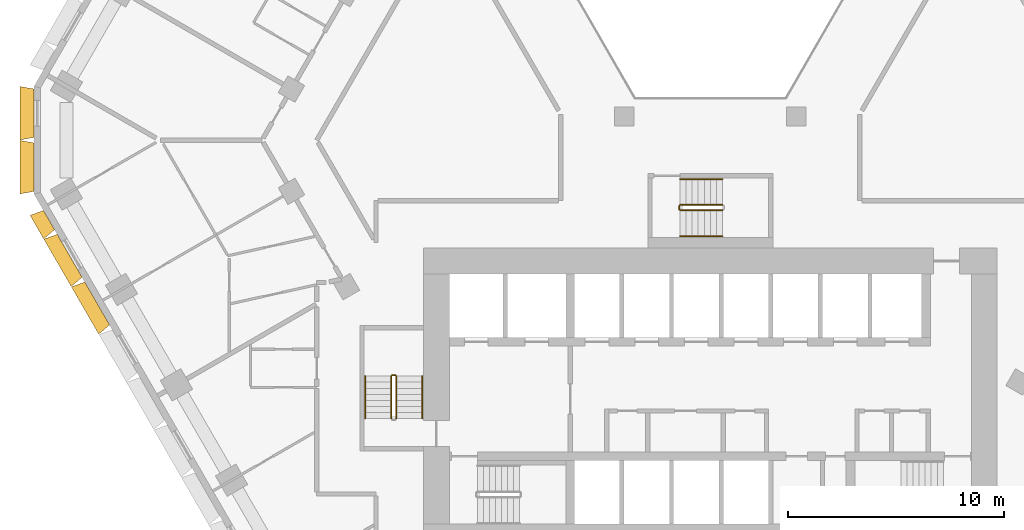
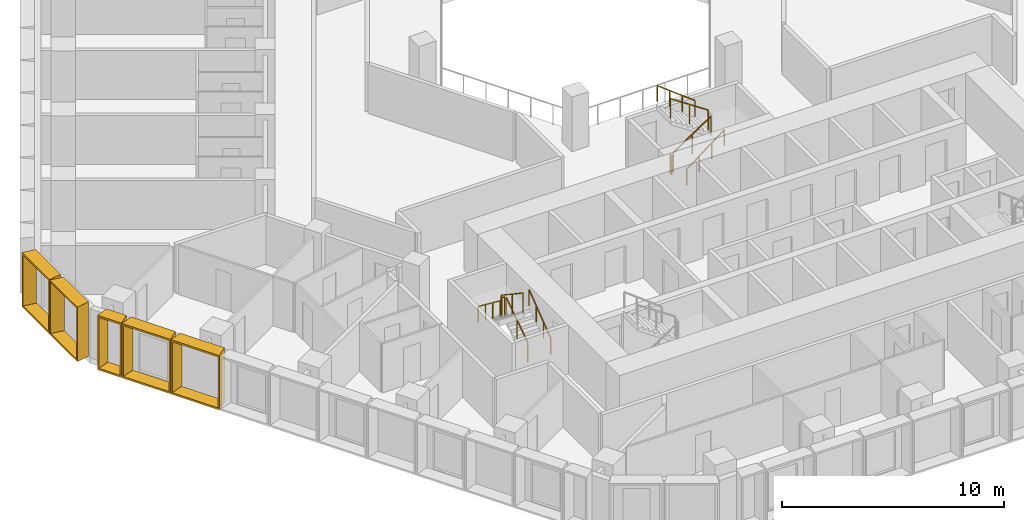
# One storey, part 14 of 16: 10 railings, 5 shading devices.
"""IFC4 building model written with IfcOpenShell, lengths in metres."""

from ifc_helpers import new_model, entity, si_unit, direction, frame, origin, origin_2d, place, context, subcontext, project, spatial, rectangle, extrude, source, transform, mapped, material, type_object, type_shapes, element, save


model = new_model("IFC4")

# Units and contexts
model_context = context("Model", 3, precision=1e-05, world=origin(), true_north=direction((0.0, 1.0)))
body_context = subcontext(model_context, "Body", "Model", "MODEL_VIEW")
ifc_project = project(units=[si_unit("LENGTHUNIT", "METRE"), si_unit("AREAUNIT", "SQUARE_METRE"), si_unit("VOLUMEUNIT", "CUBIC_METRE"), si_unit("PLANEANGLEUNIT", "RADIAN"), si_unit("MASSUNIT", "GRAM", prefix="KILO")], contexts=[model_context])

# Site, building, storey
site_placement = place(None, origin())
site = spatial("IfcSite", under=ifc_project, at=site_placement, CompositionType="ELEMENT")
building_placement = place(site_placement, origin())
building = spatial("IfcBuilding", under=site, at=building_placement, Name="Beryl Residences", CompositionType="ELEMENT")
storey_placement = place(building_placement, frame((0.0, 0.0, 32.39990234375)))
storey = spatial("IfcBuildingStorey", under=building, at=storey_placement, Name="L09", CompositionType="ELEMENT", Elevation=32.39990234375)

# Shading devices
ifc_material_1 = material(Name="Aluminium pale anodised", Category="aluminium")
shading_device_type_1 = type_object("IfcShadingDeviceType", Name="FR128-65A OUTER SKIN frame 650 mm deep, splay 10/10 deg, 1280 x 3000 mm cell", PredefinedType="USERDEFINED", material=ifc_material_1)
cartesian_point_1 = entity("IfcCartesianPoint", [-0.514892578125, 0.0])
cartesian_point_2 = entity("IfcCartesianPoint", [-0.433837890625, 0.10009765625])
cartesian_point_3 = entity("IfcCartesianPoint", [-0.629638671875, 0.0])
cartesian_point_4 = entity("IfcCartesianPoint", [-0.54833984375, 0.10009765625])
shared_shape_1 = source(origin(), body_context, "Body", "SweptSolid", [
    entity("IfcExtrudedAreaSolidTapered", entity("IfcArbitraryProfileDefWithVoids", "AREA", None, entity("IfcPolyline", [cartesian_point_1, entity("IfcCartesianPoint", [0.514892578125, 0.0]), entity("IfcCartesianPoint", [0.514892578125, 3.0]), entity("IfcCartesianPoint", [-0.514892578125, 3.0]), cartesian_point_1]), [entity("IfcPolyline", [cartesian_point_2, entity("IfcCartesianPoint", [0.433837890625, 0.10009765625]), entity("IfcCartesianPoint", [0.433837890625, 2.89990234375]), entity("IfcCartesianPoint", [-0.433837890625, 2.89990234375]), cartesian_point_2])]), entity("IfcAxis2Placement3D", entity("IfcCartesianPoint", [0.0, 0.0, 0.0]), entity("IfcDirection", [0.0, 1.0, 0.0]), entity("IfcDirection", [-1.0, 0.0, 0.0])), entity("IfcDirection", [0.0, 0.0, 1.0]), 0.64990234375, entity("IfcArbitraryProfileDefWithVoids", "AREA", None, entity("IfcPolyline", [cartesian_point_3, entity("IfcCartesianPoint", [0.629638671875, 0.0]), entity("IfcCartesianPoint", [0.629638671875, 3.0]), entity("IfcCartesianPoint", [-0.629638671875, 3.0]), cartesian_point_3]), [entity("IfcPolyline", [cartesian_point_4, entity("IfcCartesianPoint", [0.54833984375, 0.10009765625]), entity("IfcCartesianPoint", [0.54833984375, 2.89990234375]), entity("IfcCartesianPoint", [-0.54833984375, 2.89990234375]), cartesian_point_4])])),
])
type_shapes(shading_device_type_1, [shared_shape_1])
shading_device_placement = place(storey_placement, frame((-30.655029296875, -3.702880859375, 0.0), z_axis=(0.0, 0.0, 1.0), x_axis=(-0.5, 0.866025403784, 0.0)))
element("IfcShadingDevice", 1, at=shading_device_placement, inside=storey, type_object=shading_device_type_1, Name="FR128-65A frame L09 SW 1", ObjectType="OUTER SKIN", PredefinedType="USERDEFINED", context=body_context, shape_type="MappedRepresentation", body=[
    mapped(shared_shape_1, transform((0.0, 0.0, 0.0))),
])
ifc_material_2 = material(Name="Aluminium pale anodised", Category="aluminium")
shading_device_type_2 = type_object("IfcShadingDeviceType", Name="FR250-65A OUTER SKIN frame 650 mm deep, splay 10/10 deg, 2500 x 3000 mm cell", PredefinedType="USERDEFINED", material=ifc_material_2)
cartesian_point_5 = entity("IfcCartesianPoint", [-1.125, 0.0])
cartesian_point_6 = entity("IfcCartesianPoint", [-1.043701171875, 0.10009765625])
cartesian_point_7 = entity("IfcCartesianPoint", [-1.239501953125, 0.0])
cartesian_point_8 = entity("IfcCartesianPoint", [-1.158447265625, 0.10009765625])
shared_shape_2 = source(origin(), body_context, "Body", "SweptSolid", [
    entity("IfcExtrudedAreaSolidTapered", entity("IfcArbitraryProfileDefWithVoids", "AREA", None, entity("IfcPolyline", [cartesian_point_5, entity("IfcCartesianPoint", [1.125, 0.0]), entity("IfcCartesianPoint", [1.125, 3.0]), entity("IfcCartesianPoint", [-1.125, 3.0]), cartesian_point_5]), [entity("IfcPolyline", [cartesian_point_6, entity("IfcCartesianPoint", [1.043701171875, 0.10009765625]), entity("IfcCartesianPoint", [1.043701171875, 2.89990234375]), entity("IfcCartesianPoint", [-1.043701171875, 2.89990234375]), cartesian_point_6])]), entity("IfcAxis2Placement3D", entity("IfcCartesianPoint", [0.0, 0.0, 0.0]), entity("IfcDirection", [0.0, 1.0, 0.0]), entity("IfcDirection", [-1.0, 0.0, 0.0])), entity("IfcDirection", [0.0, 0.0, 1.0]), 0.64990234375, entity("IfcArbitraryProfileDefWithVoids", "AREA", None, entity("IfcPolyline", [cartesian_point_7, entity("IfcCartesianPoint", [1.239501953125, 0.0]), entity("IfcCartesianPoint", [1.239501953125, 3.0]), entity("IfcCartesianPoint", [-1.239501953125, 3.0]), cartesian_point_7]), [entity("IfcPolyline", [cartesian_point_8, entity("IfcCartesianPoint", [1.158447265625, 0.10009765625]), entity("IfcCartesianPoint", [1.158447265625, 2.89990234375]), entity("IfcCartesianPoint", [-1.158447265625, 2.89990234375]), cartesian_point_8])])),
])
type_shapes(shading_device_type_2, [shared_shape_2])
for number, where, z_axis, x_axis, name in (
    (2, (-31.35009765625, 1.25, 0.0), (0.0, 0.0, 1.0), (0.0, 1.0, 0.0), "FR250-65A frame L09 NW-SW 1"),
    (3, (-31.35009765625, -1.25, 0.0), (0.0, 0.0, 1.0), (0.0, 1.0, 0.0), "FR250-65A frame L09 NW-SW 2"),
):
    element("IfcShadingDevice", number, at=place(storey_placement, frame(where, z_axis=z_axis, x_axis=x_axis)), inside=storey, type_object=shading_device_type_2, Name=name, ObjectType="OUTER SKIN", PredefinedType="USERDEFINED", context=body_context, shape_type="MappedRepresentation", body=[
        mapped(shared_shape_2, transform((0.0, 0.0, 0.0))),
    ])
ifc_material_3 = material(Name="Aluminium pale anodised", Category="aluminium")
shading_device_type_3 = type_object("IfcShadingDeviceType", Name="FR255-65A OUTER SKIN frame 650 mm deep, splay 10/10 deg, 2550 x 3000 mm cell", PredefinedType="USERDEFINED", material=ifc_material_3)
cartesian_point_9 = entity("IfcCartesianPoint", [-1.14990234375, 0.0])
cartesian_point_10 = entity("IfcCartesianPoint", [-1.06884765625, 0.10009765625])
cartesian_point_11 = entity("IfcCartesianPoint", [-1.2646484375, 0.0])
cartesian_point_12 = entity("IfcCartesianPoint", [-1.183349609375, 0.10009765625])
shared_shape_3 = source(origin(), body_context, "Body", "SweptSolid", [
    entity("IfcExtrudedAreaSolidTapered", entity("IfcArbitraryProfileDefWithVoids", "AREA", None, entity("IfcPolyline", [cartesian_point_9, entity("IfcCartesianPoint", [1.14990234375, 0.0]), entity("IfcCartesianPoint", [1.14990234375, 3.0]), entity("IfcCartesianPoint", [-1.14990234375, 3.0]), cartesian_point_9]), [entity("IfcPolyline", [cartesian_point_10, entity("IfcCartesianPoint", [1.06884765625, 0.10009765625]), entity("IfcCartesianPoint", [1.06884765625, 2.89990234375]), entity("IfcCartesianPoint", [-1.06884765625, 2.89990234375]), cartesian_point_10])]), entity("IfcAxis2Placement3D", entity("IfcCartesianPoint", [0.0, 0.0, 0.0]), entity("IfcDirection", [0.0, 1.0, 0.0]), entity("IfcDirection", [-1.0, 0.0, 0.0])), entity("IfcDirection", [0.0, 0.0, 1.0]), 0.64990234375, entity("IfcArbitraryProfileDefWithVoids", "AREA", None, entity("IfcPolyline", [cartesian_point_11, entity("IfcCartesianPoint", [1.2646484375, 0.0]), entity("IfcCartesianPoint", [1.2646484375, 3.0]), entity("IfcCartesianPoint", [-1.2646484375, 3.0]), cartesian_point_11]), [entity("IfcPolyline", [cartesian_point_12, entity("IfcCartesianPoint", [1.183349609375, 0.10009765625]), entity("IfcCartesianPoint", [1.183349609375, 2.89990234375]), entity("IfcCartesianPoint", [-1.183349609375, 2.89990234375]), cartesian_point_12])])),
])
type_shapes(shading_device_type_3, [shared_shape_3])
for number, where, z_axis, x_axis, name in (
    (4, (-29.697998046875, -5.360107421875, 0.0), (0.0, 0.0, 1.0), (-0.5, 0.866025403784, 0.0), "FR255-65A frame L09 SW 2"),
    (5, (-28.422119140625, -7.570068359375, 0.0), (0.0, 0.0, 1.0), (-0.5, 0.866025403784, 0.0), "FR255-65A frame L09 SW 3"),
):
    element("IfcShadingDevice", number, at=place(storey_placement, frame(where, z_axis=z_axis, x_axis=x_axis)), inside=storey, type_object=shading_device_type_3, Name=name, ObjectType="OUTER SKIN", PredefinedType="USERDEFINED", context=body_context, shape_type="MappedRepresentation", body=[
        mapped(shared_shape_3, transform((0.0, 0.0, 0.0))),
    ])

# Railings
ifc_material_4 = material(Name="Stainless steel balustrade with glass infill", Category="steel")
railing_type_1 = type_object("IfcRailingType", Name="SG1 stair guard 1100 mm", PredefinedType="GUARDRAIL", material=ifc_material_4)
railing_1_placement = place(storey_placement, frame((-14.550048828125, -12.89990234375, 0.1875)))
element("IfcRailing", 6, at=railing_1_placement, inside=storey, type_object=railing_type_1, Name="L09 ST-2 stair guard 1", PredefinedType="GUARDRAIL", context=body_context, shape_type="SweptSolid", body=[
    extrude(rectangle(XDim=0.048095703125, YDim=0.048095703125, at=origin_2d()), frame((0.0, 0.0, 1.076171875), z_axis=(0.0, 0.830902050051, 0.556418712142), x_axis=(-1.0, 0.0, 0.0)), (0.0, 0.0, 1.0), 2.35888671875),
    extrude(rectangle(XDim=0.0419921875, YDim=0.0419921875, at=origin_2d()), origin(), (0.0, 0.0, 1.0), 1.052001953125),
    extrude(rectangle(XDim=0.0419921875, YDim=0.0419921875, at=origin_2d()), frame((0.0, 0.97998046875, 0.65625)), (0.0, 0.0, 1.0), 1.052001953125),
    extrude(rectangle(XDim=0.0419921875, YDim=0.0419921875, at=origin_2d()), frame((0.0, 1.9599609375, 1.3125)), (0.0, 0.0, 1.0), 1.052001953125),
])
railing_2_placement = place(storey_placement, frame((-14.60009765625, -10.889892578125, 1.5)))
element("IfcRailing", 7, at=railing_2_placement, inside=storey, type_object=railing_type_1, Name="L09 ST-2 stair guard 2", PredefinedType="GUARDRAIL", context=body_context, shape_type="SweptSolid", body=[
    extrude(rectangle(XDim=0.048095703125, YDim=0.048095703125, at=origin_2d()), frame((0.0, 0.0, 1.076171875), z_axis=(-1.0, 0.0, 0.0), x_axis=(0.0, -1.0, 0.0)), (0.0, 0.0, 1.0), 0.14990234375),
    extrude(rectangle(XDim=0.0419921875, YDim=0.0419921875, at=origin_2d()), origin(), (0.0, 0.0, 1.0), 1.052001953125),
    extrude(rectangle(XDim=0.0419921875, YDim=0.0419921875, at=origin_2d()), frame((-0.14990234375, 0.0, 0.0)), (0.0, 0.0, 1.0), 1.052001953125),
])
railing_3_placement = place(storey_placement, frame((-14.800048828125, -10.93994140625, 1.6875)))
element("IfcRailing", 8, at=railing_3_placement, inside=storey, type_object=railing_type_1, Name="L09 ST-2 stair guard 3", PredefinedType="GUARDRAIL", context=body_context, shape_type="SweptSolid", body=[
    extrude(rectangle(XDim=0.048095703125, YDim=0.048095703125, at=origin_2d()), frame((0.0, 0.0, 1.076171875), z_axis=(0.0, -0.830902050051, 0.556418712142), x_axis=(1.0, 0.0, 0.0)), (0.0, 0.0, 1.0), 2.35888671875),
    extrude(rectangle(XDim=0.0419921875, YDim=0.0419921875, at=origin_2d()), origin(), (0.0, 0.0, 1.0), 1.052001953125),
    extrude(rectangle(XDim=0.0419921875, YDim=0.0419921875, at=origin_2d()), frame((0.0, -0.97998046875, 0.65625)), (0.0, 0.0, 1.0), 1.052001953125),
    extrude(rectangle(XDim=0.0419921875, YDim=0.0419921875, at=origin_2d()), frame((0.0, -1.9599609375, 1.3125)), (0.0, 0.0, 1.0), 1.052001953125),
])
railing_4_placement = place(storey_placement, frame((-1.39990234375, -3.25, 0.1875)))
element("IfcRailing", 9, at=railing_4_placement, inside=storey, type_object=railing_type_1, Name="L09 ST-4 stair guard 1", PredefinedType="GUARDRAIL", context=body_context, shape_type="SweptSolid", body=[
    extrude(rectangle(XDim=0.048095703125, YDim=0.048095703125, at=origin_2d()), frame((0.0, 0.0, 1.076171875), z_axis=(0.830902050051, 0.0, 0.556418712142), x_axis=(0.0, 1.0, 0.0)), (0.0, 0.0, 1.0), 2.35888671875),
    extrude(rectangle(XDim=0.0419921875, YDim=0.0419921875, at=origin_2d()), origin(), (0.0, 0.0, 1.0), 1.052001953125),
    extrude(rectangle(XDim=0.0419921875, YDim=0.0419921875, at=origin_2d()), frame((0.97998046875, 0.0, 0.65625)), (0.0, 0.0, 1.0), 1.052001953125),
    extrude(rectangle(XDim=0.0419921875, YDim=0.0419921875, at=origin_2d()), frame((1.9599609375, 0.0, 1.3125)), (0.0, 0.0, 1.0), 1.052001953125),
])
railing_5_placement = place(storey_placement, frame((0.56005859375, -3.0, 1.6875)))
element("IfcRailing", 10, at=railing_5_placement, inside=storey, type_object=railing_type_1, Name="L09 ST-4 stair guard 3", PredefinedType="GUARDRAIL", context=body_context, shape_type="SweptSolid", body=[
    extrude(rectangle(XDim=0.048095703125, YDim=0.048095703125, at=origin_2d()), frame((0.0, 0.0, 1.076171875), z_axis=(-0.830902050051, 0.0, 0.556418712142), x_axis=(0.0, -1.0, 0.0)), (0.0, 0.0, 1.0), 2.35888671875),
    extrude(rectangle(XDim=0.0419921875, YDim=0.0419921875, at=origin_2d()), origin(), (0.0, 0.0, 1.0), 1.052001953125),
    extrude(rectangle(XDim=0.0419921875, YDim=0.0419921875, at=origin_2d()), frame((-0.97998046875, 0.0, 0.65625)), (0.0, 0.0, 1.0), 1.052001953125),
    extrude(rectangle(XDim=0.0419921875, YDim=0.0419921875, at=origin_2d()), frame((-1.9599609375, 0.0, 1.3125)), (0.0, 0.0, 1.0), 1.052001953125),
])
railing_6_placement = place(storey_placement, frame((-1.449951171875, -3.199951171875, 0.0)))
element("IfcRailing", 11, at=railing_6_placement, inside=storey, type_object=railing_type_1, Name="L09 ST-4 stair guard 4", PredefinedType="GUARDRAIL", context=body_context, shape_type="SweptSolid", body=[
    extrude(rectangle(XDim=0.048095703125, YDim=0.048095703125, at=origin_2d()), frame((0.0, 0.0, 1.076171875), z_axis=(0.0, 1.0, 0.0), x_axis=(-1.0, 0.0, 0.0)), (0.0, 0.0, 1.0), 0.14990234375),
    extrude(rectangle(XDim=0.0419921875, YDim=0.0419921875, at=origin_2d()), origin(), (0.0, 0.0, 1.0), 1.052001953125),
    extrude(rectangle(XDim=0.0419921875, YDim=0.0419921875, at=origin_2d()), frame((0.0, 0.14990234375, 0.0)), (0.0, 0.0, 1.0), 1.052001953125),
])
ifc_material_5 = material(Name="Stainless steel handrail", Category="steel")
railing_type_2 = type_object("IfcRailingType", Name="SRL1 stair handrail 900 mm", PredefinedType="HANDRAIL", material=ifc_material_5)
railing_7_placement = place(storey_placement, frame((-13.35009765625, -12.89990234375, 0.1875)))
element("IfcRailing", 12, at=railing_7_placement, inside=storey, type_object=railing_type_2, Name="L09 ST-2 stair handrail 1", PredefinedType="HANDRAIL", context=body_context, shape_type="SweptSolid", body=[
    extrude(rectangle(XDim=0.048095703125, YDim=0.048095703125, at=origin_2d()), frame((0.0, 0.0, 0.8759765625), z_axis=(0.0, 0.794121922505, 0.607758481798), x_axis=(-1.0, 0.0, 0.0)), (0.0, 0.0, 1.0), 2.468017578125),
    extrude(rectangle(XDim=0.0419921875, YDim=0.0419921875, at=origin_2d()), origin(), (0.0, 0.0, 1.0), 0.851806640625),
    extrude(rectangle(XDim=0.0419921875, YDim=0.0419921875, at=origin_2d()), frame((0.0, 0.6533203125, 0.5)), (0.0, 0.0, 1.0), 0.851806640625),
    extrude(rectangle(XDim=0.0419921875, YDim=0.0419921875, at=origin_2d()), frame((0.0, 1.306640625, 1.0)), (0.0, 0.0, 1.0), 0.851806640625),
    extrude(rectangle(XDim=0.0419921875, YDim=0.0419921875, at=origin_2d()), frame((0.0, 1.9599609375, 1.5)), (0.0, 0.0, 1.0), 0.851806640625),
])
railing_8_placement = place(storey_placement, frame((-16.0, -10.93994140625, 1.6875)))
element("IfcRailing", 13, at=railing_8_placement, inside=storey, type_object=railing_type_2, Name="L09 ST-2 stair handrail 2", PredefinedType="HANDRAIL", context=body_context, shape_type="SweptSolid", body=[
    extrude(rectangle(XDim=0.048095703125, YDim=0.048095703125, at=origin_2d()), frame((0.0, 0.0, 0.8759765625), z_axis=(0.0, -0.794121922505, 0.607758481798), x_axis=(1.0, 0.0, 0.0)), (0.0, 0.0, 1.0), 2.468017578125),
    extrude(rectangle(XDim=0.0419921875, YDim=0.0419921875, at=origin_2d()), origin(), (0.0, 0.0, 1.0), 0.851806640625),
    extrude(rectangle(XDim=0.0419921875, YDim=0.0419921875, at=origin_2d()), frame((0.0, -0.6533203125, 0.5)), (0.0, 0.0, 1.0), 0.851806640625),
    extrude(rectangle(XDim=0.0419921875, YDim=0.0419921875, at=origin_2d()), frame((0.0, -1.306640625, 1.0)), (0.0, 0.0, 1.0), 0.851806640625),
    extrude(rectangle(XDim=0.0419921875, YDim=0.0419921875, at=origin_2d()), frame((0.0, -1.9599609375, 1.5)), (0.0, 0.0, 1.0), 0.851806640625),
])
railing_9_placement = place(storey_placement, frame((-1.39990234375, -4.449951171875, 0.1875)))
element("IfcRailing", 14, at=railing_9_placement, inside=storey, type_object=railing_type_2, Name="L09 ST-4 stair handrail 1", PredefinedType="HANDRAIL", context=body_context, shape_type="SweptSolid", body=[
    extrude(rectangle(XDim=0.048095703125, YDim=0.048095703125, at=origin_2d()), frame((0.0, 0.0, 0.8759765625), z_axis=(0.794121922505, 0.0, 0.607758481798), x_axis=(0.0, 1.0, 0.0)), (0.0, 0.0, 1.0), 2.468017578125),
    extrude(rectangle(XDim=0.0419921875, YDim=0.0419921875, at=origin_2d()), origin(), (0.0, 0.0, 1.0), 0.851806640625),
    extrude(rectangle(XDim=0.0419921875, YDim=0.0419921875, at=origin_2d()), frame((0.6533203125, 0.0, 0.5)), (0.0, 0.0, 1.0), 0.851806640625),
    extrude(rectangle(XDim=0.0419921875, YDim=0.0419921875, at=origin_2d()), frame((1.306640625, 0.0, 1.0)), (0.0, 0.0, 1.0), 0.851806640625),
    extrude(rectangle(XDim=0.0419921875, YDim=0.0419921875, at=origin_2d()), frame((1.9599609375, 0.0, 1.5)), (0.0, 0.0, 1.0), 0.851806640625),
])
railing_10_placement = place(storey_placement, frame((0.56005859375, -1.800048828125, 1.6875)))
element("IfcRailing", 15, at=railing_10_placement, inside=storey, type_object=railing_type_2, Name="L09 ST-4 stair handrail 2", PredefinedType="HANDRAIL", context=body_context, shape_type="SweptSolid", body=[
    extrude(rectangle(XDim=0.048095703125, YDim=0.048095703125, at=origin_2d()), frame((0.0, 0.0, 0.8759765625), z_axis=(-0.794121922505, 0.0, 0.607758481798), x_axis=(0.0, -1.0, 0.0)), (0.0, 0.0, 1.0), 2.468017578125),
    extrude(rectangle(XDim=0.0419921875, YDim=0.0419921875, at=origin_2d()), origin(), (0.0, 0.0, 1.0), 0.851806640625),
    extrude(rectangle(XDim=0.0419921875, YDim=0.0419921875, at=origin_2d()), frame((-0.6533203125, 0.0, 0.5)), (0.0, 0.0, 1.0), 0.851806640625),
    extrude(rectangle(XDim=0.0419921875, YDim=0.0419921875, at=origin_2d()), frame((-1.306640625, 0.0, 1.0)), (0.0, 0.0, 1.0), 0.851806640625),
    extrude(rectangle(XDim=0.0419921875, YDim=0.0419921875, at=origin_2d()), frame((-1.9599609375, 0.0, 1.5)), (0.0, 0.0, 1.0), 0.851806640625),
])

save(model, "model.ifc")
